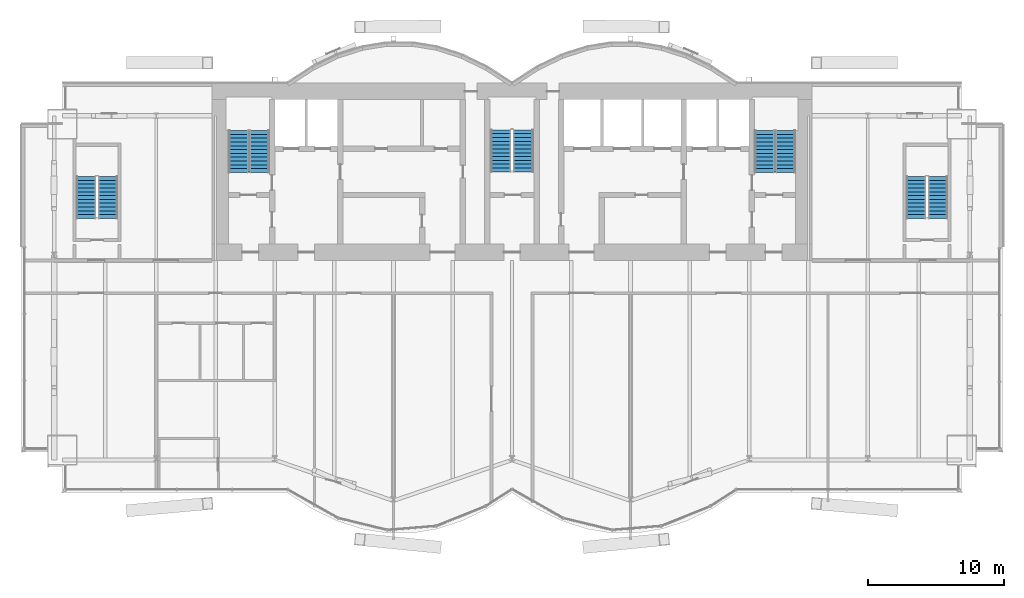
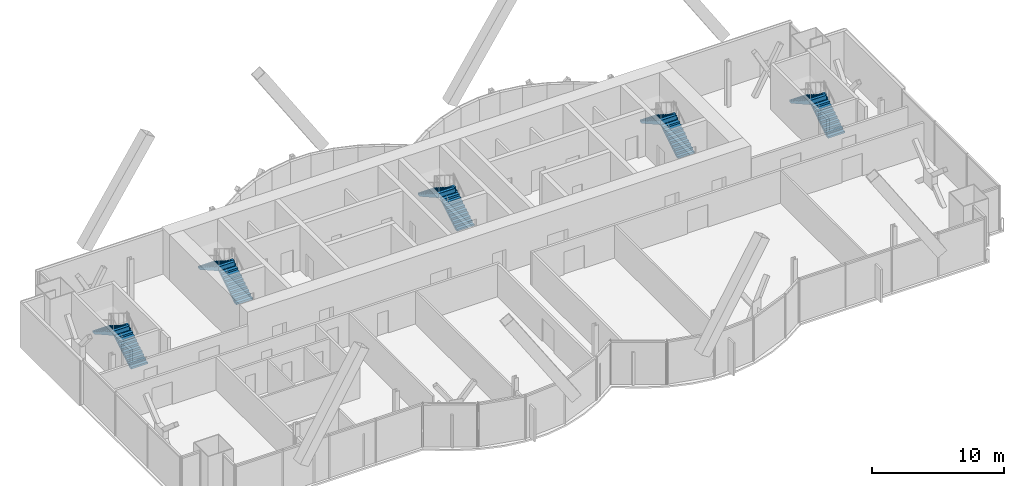
# One storey, part 17 of 20: 10 stair flights, 5 elements without a shape of their own.
"""IFC4 building model written with IfcOpenShell, lengths in metres."""

from ifc_helpers import new_model, si_unit, direction, frame, origin, place, context, subcontext, project, spatial, polyline, outline, extrude, material, type_object, element, aggregate, save


model = new_model("IFC4")

# Units and contexts
model_context = context("Model", 3, precision=1e-05, world=origin(), true_north=direction((0.0, 1.0)))
body_context = subcontext(model_context, "Body", "Model", "MODEL_VIEW")
ifc_project = project(units=[si_unit("LENGTHUNIT", "METRE"), si_unit("AREAUNIT", "SQUARE_METRE"), si_unit("VOLUMEUNIT", "CUBIC_METRE"), si_unit("PLANEANGLEUNIT", "RADIAN"), si_unit("MASSUNIT", "GRAM", prefix="KILO")], contexts=[model_context])

# Site, building, storey
site_placement = place(None, origin())
site = spatial("IfcSite", under=ifc_project, at=site_placement, CompositionType="ELEMENT")
building_placement = place(site_placement, origin())
building = spatial("IfcBuilding", under=site, at=building_placement, Name="Bicima Exchange Tower", CompositionType="ELEMENT")
storey_placement = place(building_placement, frame((0.0, 0.0, 245.60009765625)))
storey = spatial("IfcBuildingStorey", under=building, at=storey_placement, Name="L55", CompositionType="ELEMENT", Elevation=245.60009765625)

# Stair, stair flights
ifc_material = material(Name="Concrete C50/60", Category="concrete")
stair_type_1 = type_object("IfcStairType", Name="Exit stair", PredefinedType="HALF_TURN_STAIR", material=ifc_material)
stair_1_placement = place(storey_placement, origin())
stair_1 = element("IfcStair", 1, at=stair_1_placement, inside=storey, type_object=stair_type_1, Name="L55 West exit stair", PredefinedType="HALF_TURN_STAIR")
stair_flight_type_1 = type_object("IfcStairFlightType", Name="Stair flight RC", PredefinedType="STRAIGHT", material=ifc_material)
stair_flight_1_placement = place(storey_placement, frame((-18.52490234375, -6.550048828125, 0.0), z_axis=(0.0, 0.0, 1.0), x_axis=(0.0, 1.0, 0.0)))
stair_flight_1 = element("IfcStairFlight", 2, at=stair_flight_1_placement, type_object=stair_flight_type_1, Name="ST-W flight 1", NumberOfRisers=12, NumberOfTreads=11, PredefinedType="STRAIGHT", RiserHeight=0.175, TreadLength=0.28, context=body_context, shape_type="SweptSolid", body=[
    extrude(outline(polyline([(0.0, 0.0), (0.0, 0.175048828125), (0.280029296875, 0.175048828125), (0.280029296875, 0.35009765625), (0.56005859375, 0.35009765625), (0.56005859375, 0.52490234375), (0.840087890625, 0.52490234375), (0.840087890625, 0.699951171875), (1.1201171875, 0.699951171875), (1.1201171875, 0.875), (1.39990234375, 0.875), (1.39990234375, 1.050048828125), (1.679931640625, 1.050048828125), (1.679931640625, 1.22509765625), (1.9599609375, 1.22509765625), (1.9599609375, 1.39990234375), (2.239990234375, 1.39990234375), (2.239990234375, 1.574951171875), (2.52001953125, 1.574951171875), (2.52001953125, 1.75), (2.800048828125, 1.75), (2.800048828125, 1.925048828125), (3.080078125, 1.925048828125), (3.080078125, 2.10009765625), (3.080078125, 1.748291015625), (0.28271484375, 0.0), (0.0, 0.0)])), frame((0.0, 0.72509765625, 0.0), z_axis=(0.0, -1.0, 0.0), x_axis=(1.0, 0.0, 0.0)), (0.0, 0.0, 1.0), 1.449951171875),
])
stair_flight_2_placement = place(storey_placement, frame((-20.074951171875, -3.469970703125, 2.099853515625), z_axis=(0.0, 0.0, 1.0), x_axis=(0.0, -1.0, 0.0)))
stair_flight_2 = element("IfcStairFlight", 3, at=stair_flight_2_placement, type_object=stair_flight_type_1, Name="ST-W flight 2", NumberOfRisers=12, NumberOfTreads=11, PredefinedType="STRAIGHT", RiserHeight=0.175, TreadLength=0.28, context=body_context, shape_type="SweptSolid", body=[
    extrude(outline(polyline([(0.0, 0.0), (0.0, 0.175048828125), (0.280029296875, 0.175048828125), (0.280029296875, 0.35009765625), (0.56005859375, 0.35009765625), (0.56005859375, 0.52490234375), (0.840087890625, 0.52490234375), (0.840087890625, 0.699951171875), (1.1201171875, 0.699951171875), (1.1201171875, 0.875), (1.39990234375, 0.875), (1.39990234375, 1.050048828125), (1.679931640625, 1.050048828125), (1.679931640625, 1.22509765625), (1.9599609375, 1.22509765625), (1.9599609375, 1.39990234375), (2.239990234375, 1.39990234375), (2.239990234375, 1.574951171875), (2.52001953125, 1.574951171875), (2.52001953125, 1.75), (2.800048828125, 1.75), (2.800048828125, 1.925048828125), (3.080078125, 1.925048828125), (3.080078125, 1.9541015625), (3.094970703125, 1.9541015625), (3.094970703125, 1.58251953125), (0.28271484375, 0.0), (0.0, 0.0)])), frame((0.0, 0.72509765625, 0.0), z_axis=(0.0, -1.0, 0.0), x_axis=(1.0, 0.0, 0.0)), (0.0, 0.0, 1.0), 1.449951171875),
])
aggregate(stair_1, [stair_flight_1, stair_flight_2])

stair_2_placement = place(storey_placement, origin())
stair_2 = element("IfcStair", 4, at=stair_2_placement, inside=storey, type_object=stair_type_1, Name="L55 East exit stair", PredefinedType="HALF_TURN_STAIR")
stair_flight_3_placement = place(storey_placement, frame((20.074951171875, -6.550048828125, 0.0), z_axis=(0.0, 0.0, 1.0), x_axis=(0.0, 1.0, 0.0)))
stair_flight_3 = element("IfcStairFlight", 5, at=stair_flight_3_placement, type_object=stair_flight_type_1, Name="ST-E flight 1", NumberOfRisers=12, NumberOfTreads=11, PredefinedType="STRAIGHT", RiserHeight=0.175, TreadLength=0.28, context=body_context, shape_type="SweptSolid", body=[
    extrude(outline(polyline([(0.0, 0.0), (0.0, 0.175048828125), (0.280029296875, 0.175048828125), (0.280029296875, 0.35009765625), (0.56005859375, 0.35009765625), (0.56005859375, 0.52490234375), (0.840087890625, 0.52490234375), (0.840087890625, 0.699951171875), (1.1201171875, 0.699951171875), (1.1201171875, 0.875), (1.39990234375, 0.875), (1.39990234375, 1.050048828125), (1.679931640625, 1.050048828125), (1.679931640625, 1.22509765625), (1.9599609375, 1.22509765625), (1.9599609375, 1.39990234375), (2.239990234375, 1.39990234375), (2.239990234375, 1.574951171875), (2.52001953125, 1.574951171875), (2.52001953125, 1.75), (2.800048828125, 1.75), (2.800048828125, 1.925048828125), (3.080078125, 1.925048828125), (3.080078125, 2.10009765625), (3.080078125, 1.748291015625), (0.28271484375, 0.0), (0.0, 0.0)])), frame((0.0, 0.72509765625, 0.0), z_axis=(0.0, -1.0, 0.0), x_axis=(1.0, 0.0, 0.0)), (0.0, 0.0, 1.0), 1.449951171875),
])
stair_flight_4_placement = place(storey_placement, frame((18.52490234375, -3.469970703125, 2.099853515625), z_axis=(0.0, 0.0, 1.0), x_axis=(0.0, -1.0, 0.0)))
stair_flight_4 = element("IfcStairFlight", 6, at=stair_flight_4_placement, type_object=stair_flight_type_1, Name="ST-E flight 2", NumberOfRisers=12, NumberOfTreads=11, PredefinedType="STRAIGHT", RiserHeight=0.175, TreadLength=0.28, context=body_context, shape_type="SweptSolid", body=[
    extrude(outline(polyline([(0.0, 0.0), (0.0, 0.175048828125), (0.280029296875, 0.175048828125), (0.280029296875, 0.35009765625), (0.56005859375, 0.35009765625), (0.56005859375, 0.52490234375), (0.840087890625, 0.52490234375), (0.840087890625, 0.699951171875), (1.1201171875, 0.699951171875), (1.1201171875, 0.875), (1.39990234375, 0.875), (1.39990234375, 1.050048828125), (1.679931640625, 1.050048828125), (1.679931640625, 1.22509765625), (1.9599609375, 1.22509765625), (1.9599609375, 1.39990234375), (2.239990234375, 1.39990234375), (2.239990234375, 1.574951171875), (2.52001953125, 1.574951171875), (2.52001953125, 1.75), (2.800048828125, 1.75), (2.800048828125, 1.925048828125), (3.080078125, 1.925048828125), (3.080078125, 1.9541015625), (3.094970703125, 1.9541015625), (3.094970703125, 1.58251953125), (0.28271484375, 0.0), (0.0, 0.0)])), frame((0.0, 0.72509765625, 0.0), z_axis=(0.0, -1.0, 0.0), x_axis=(1.0, 0.0, 0.0)), (0.0, 0.0, 1.0), 1.449951171875),
])
aggregate(stair_2, [stair_flight_3, stair_flight_4])

stair_3_placement = place(storey_placement, origin())
stair_3 = element("IfcStair", 7, at=stair_3_placement, inside=storey, type_object=stair_type_1, Name="L55 West end exit stair", PredefinedType="HALF_TURN_STAIR")
stair_flight_5_placement = place(storey_placement, frame((-29.64990234375, -9.925048828125, 0.0), z_axis=(0.0, 0.0, 1.0), x_axis=(0.0, 1.0, 0.0)))
stair_flight_5 = element("IfcStairFlight", 8, at=stair_flight_5_placement, type_object=stair_flight_type_1, Name="ST-WW flight 1", NumberOfRisers=12, NumberOfTreads=11, PredefinedType="STRAIGHT", RiserHeight=0.175, TreadLength=0.28, context=body_context, shape_type="SweptSolid", body=[
    extrude(outline(polyline([(0.0, 0.0), (0.0, 0.175048828125), (0.280029296875, 0.175048828125), (0.280029296875, 0.35009765625), (0.56005859375, 0.35009765625), (0.56005859375, 0.52490234375), (0.840087890625, 0.52490234375), (0.840087890625, 0.699951171875), (1.1201171875, 0.699951171875), (1.1201171875, 0.875), (1.39990234375, 0.875), (1.39990234375, 1.050048828125), (1.679931640625, 1.050048828125), (1.679931640625, 1.22509765625), (1.9599609375, 1.22509765625), (1.9599609375, 1.39990234375), (2.239990234375, 1.39990234375), (2.239990234375, 1.574951171875), (2.52001953125, 1.574951171875), (2.52001953125, 1.75), (2.800048828125, 1.75), (2.800048828125, 1.925048828125), (3.080078125, 1.925048828125), (3.080078125, 2.10009765625), (3.080078125, 1.748291015625), (0.28271484375, 0.0), (0.0, 0.0)])), frame((0.0, 0.72509765625, 0.0), z_axis=(0.0, -1.0, 0.0), x_axis=(1.0, 0.0, 0.0)), (0.0, 0.0, 1.0), 1.449951171875),
])
stair_flight_6_placement = place(storey_placement, frame((-31.25, -6.844970703125, 2.099853515625), z_axis=(0.0, 0.0, 1.0), x_axis=(0.0, -1.0, 0.0)))
stair_flight_6 = element("IfcStairFlight", 9, at=stair_flight_6_placement, type_object=stair_flight_type_1, Name="ST-WW flight 2", NumberOfRisers=12, NumberOfTreads=11, PredefinedType="STRAIGHT", RiserHeight=0.175, TreadLength=0.28, context=body_context, shape_type="SweptSolid", body=[
    extrude(outline(polyline([(0.0, 0.0), (0.0, 0.175048828125), (0.280029296875, 0.175048828125), (0.280029296875, 0.35009765625), (0.56005859375, 0.35009765625), (0.56005859375, 0.52490234375), (0.840087890625, 0.52490234375), (0.840087890625, 0.699951171875), (1.1201171875, 0.699951171875), (1.1201171875, 0.875), (1.39990234375, 0.875), (1.39990234375, 1.050048828125), (1.679931640625, 1.050048828125), (1.679931640625, 1.22509765625), (1.9599609375, 1.22509765625), (1.9599609375, 1.39990234375), (2.239990234375, 1.39990234375), (2.239990234375, 1.574951171875), (2.52001953125, 1.574951171875), (2.52001953125, 1.75), (2.800048828125, 1.75), (2.800048828125, 1.925048828125), (3.080078125, 1.925048828125), (3.080078125, 1.9541015625), (3.094970703125, 1.9541015625), (3.094970703125, 1.58251953125), (0.28271484375, 0.0), (0.0, 0.0)])), frame((0.0, 0.72509765625, 0.0), z_axis=(0.0, -1.0, 0.0), x_axis=(1.0, 0.0, 0.0)), (0.0, 0.0, 1.0), 1.449951171875),
])
aggregate(stair_3, [stair_flight_5, stair_flight_6])

stair_4_placement = place(storey_placement, origin())
stair_4 = element("IfcStair", 10, at=stair_4_placement, inside=storey, type_object=stair_type_1, Name="L55 East end exit stair", PredefinedType="HALF_TURN_STAIR")
stair_flight_7_placement = place(storey_placement, frame((31.25, -9.925048828125, 0.0), z_axis=(0.0, 0.0, 1.0), x_axis=(0.0, 1.0, 0.0)))
stair_flight_7 = element("IfcStairFlight", 11, at=stair_flight_7_placement, type_object=stair_flight_type_1, Name="ST-EE flight 1", NumberOfRisers=12, NumberOfTreads=11, PredefinedType="STRAIGHT", RiserHeight=0.175, TreadLength=0.28, context=body_context, shape_type="SweptSolid", body=[
    extrude(outline(polyline([(0.0, 0.0), (0.0, 0.175048828125), (0.280029296875, 0.175048828125), (0.280029296875, 0.35009765625), (0.56005859375, 0.35009765625), (0.56005859375, 0.52490234375), (0.840087890625, 0.52490234375), (0.840087890625, 0.699951171875), (1.1201171875, 0.699951171875), (1.1201171875, 0.875), (1.39990234375, 0.875), (1.39990234375, 1.050048828125), (1.679931640625, 1.050048828125), (1.679931640625, 1.22509765625), (1.9599609375, 1.22509765625), (1.9599609375, 1.39990234375), (2.239990234375, 1.39990234375), (2.239990234375, 1.574951171875), (2.52001953125, 1.574951171875), (2.52001953125, 1.75), (2.800048828125, 1.75), (2.800048828125, 1.925048828125), (3.080078125, 1.925048828125), (3.080078125, 2.10009765625), (3.080078125, 1.748291015625), (0.28271484375, 0.0), (0.0, 0.0)])), frame((0.0, 0.72509765625, 0.0), z_axis=(0.0, -1.0, 0.0), x_axis=(1.0, 0.0, 0.0)), (0.0, 0.0, 1.0), 1.449951171875),
])
stair_flight_8_placement = place(storey_placement, frame((29.64990234375, -6.844970703125, 2.099853515625), z_axis=(0.0, 0.0, 1.0), x_axis=(0.0, -1.0, 0.0)))
stair_flight_8 = element("IfcStairFlight", 12, at=stair_flight_8_placement, type_object=stair_flight_type_1, Name="ST-EE flight 2", NumberOfRisers=12, NumberOfTreads=11, PredefinedType="STRAIGHT", RiserHeight=0.175, TreadLength=0.28, context=body_context, shape_type="SweptSolid", body=[
    extrude(outline(polyline([(0.0, 0.0), (0.0, 0.175048828125), (0.280029296875, 0.175048828125), (0.280029296875, 0.35009765625), (0.56005859375, 0.35009765625), (0.56005859375, 0.52490234375), (0.840087890625, 0.52490234375), (0.840087890625, 0.699951171875), (1.1201171875, 0.699951171875), (1.1201171875, 0.875), (1.39990234375, 0.875), (1.39990234375, 1.050048828125), (1.679931640625, 1.050048828125), (1.679931640625, 1.22509765625), (1.9599609375, 1.22509765625), (1.9599609375, 1.39990234375), (2.239990234375, 1.39990234375), (2.239990234375, 1.574951171875), (2.52001953125, 1.574951171875), (2.52001953125, 1.75), (2.800048828125, 1.75), (2.800048828125, 1.925048828125), (3.080078125, 1.925048828125), (3.080078125, 1.9541015625), (3.094970703125, 1.9541015625), (3.094970703125, 1.58251953125), (0.28271484375, 0.0), (0.0, 0.0)])), frame((0.0, 0.72509765625, 0.0), z_axis=(0.0, -1.0, 0.0), x_axis=(1.0, 0.0, 0.0)), (0.0, 0.0, 1.0), 1.449951171875),
])
aggregate(stair_4, [stair_flight_7, stair_flight_8])

stair_type_2 = type_object("IfcStairType", Name="Exit stair 1500", PredefinedType="HALF_TURN_STAIR", material=ifc_material)
stair_5_placement = place(storey_placement, origin())
stair_5 = element("IfcStair", 13, at=stair_5_placement, inside=storey, type_object=stair_type_2, Name="L55 Central exit stair", PredefinedType="HALF_TURN_STAIR")
stair_flight_type_2 = type_object("IfcStairFlightType", Name="Stair flight RC 1500", PredefinedType="STRAIGHT", material=ifc_material)
stair_flight_9_placement = place(storey_placement, frame((0.824951171875, -6.5, 0.0), z_axis=(0.0, 0.0, 1.0), x_axis=(0.0, 1.0, 0.0)))
stair_flight_9 = element("IfcStairFlight", 14, at=stair_flight_9_placement, type_object=stair_flight_type_2, Name="ST-C flight 1", NumberOfRisers=12, NumberOfTreads=11, PredefinedType="STRAIGHT", RiserHeight=0.175, TreadLength=0.28, context=body_context, shape_type="SweptSolid", body=[
    extrude(outline(polyline([(0.0, 0.0), (0.0, 0.175048828125), (0.280029296875, 0.175048828125), (0.280029296875, 0.35009765625), (0.56005859375, 0.35009765625), (0.56005859375, 0.52490234375), (0.840087890625, 0.52490234375), (0.840087890625, 0.699951171875), (1.1201171875, 0.699951171875), (1.1201171875, 0.875), (1.39990234375, 0.875), (1.39990234375, 1.050048828125), (1.679931640625, 1.050048828125), (1.679931640625, 1.22509765625), (1.9599609375, 1.22509765625), (1.9599609375, 1.39990234375), (2.239990234375, 1.39990234375), (2.239990234375, 1.574951171875), (2.52001953125, 1.574951171875), (2.52001953125, 1.75), (2.800048828125, 1.75), (2.800048828125, 1.925048828125), (3.080078125, 1.925048828125), (3.080078125, 2.10009765625), (3.080078125, 1.748291015625), (0.28271484375, 0.0), (0.0, 0.0)])), frame((0.0, 0.75, 0.0), z_axis=(0.0, -1.0, 0.0), x_axis=(1.0, 0.0, 0.0)), (0.0, 0.0, 1.0), 1.5),
])
stair_flight_10_placement = place(storey_placement, frame((-0.824951171875, -3.419921875, 2.099853515625), z_axis=(0.0, 0.0, 1.0), x_axis=(0.0, -1.0, 0.0)))
stair_flight_10 = element("IfcStairFlight", 15, at=stair_flight_10_placement, type_object=stair_flight_type_2, Name="ST-C flight 2", NumberOfRisers=12, NumberOfTreads=11, PredefinedType="STRAIGHT", RiserHeight=0.175, TreadLength=0.28, context=body_context, shape_type="SweptSolid", body=[
    extrude(outline(polyline([(0.0, 0.0), (0.0, 0.175048828125), (0.280029296875, 0.175048828125), (0.280029296875, 0.35009765625), (0.56005859375, 0.35009765625), (0.56005859375, 0.52490234375), (0.840087890625, 0.52490234375), (0.840087890625, 0.699951171875), (1.1201171875, 0.699951171875), (1.1201171875, 0.875), (1.39990234375, 0.875), (1.39990234375, 1.050048828125), (1.679931640625, 1.050048828125), (1.679931640625, 1.22509765625), (1.9599609375, 1.22509765625), (1.9599609375, 1.39990234375), (2.239990234375, 1.39990234375), (2.239990234375, 1.574951171875), (2.52001953125, 1.574951171875), (2.52001953125, 1.75), (2.800048828125, 1.75), (2.800048828125, 1.925048828125), (3.080078125, 1.925048828125), (3.080078125, 1.9541015625), (3.094970703125, 1.9541015625), (3.094970703125, 1.58251953125), (0.28271484375, 0.0), (0.0, 0.0)])), frame((0.0, 0.75, 0.0), z_axis=(0.0, -1.0, 0.0), x_axis=(1.0, 0.0, 0.0)), (0.0, 0.0, 1.0), 1.5),
])
aggregate(stair_5, [stair_flight_9, stair_flight_10])

save(model, "model.ifc")
